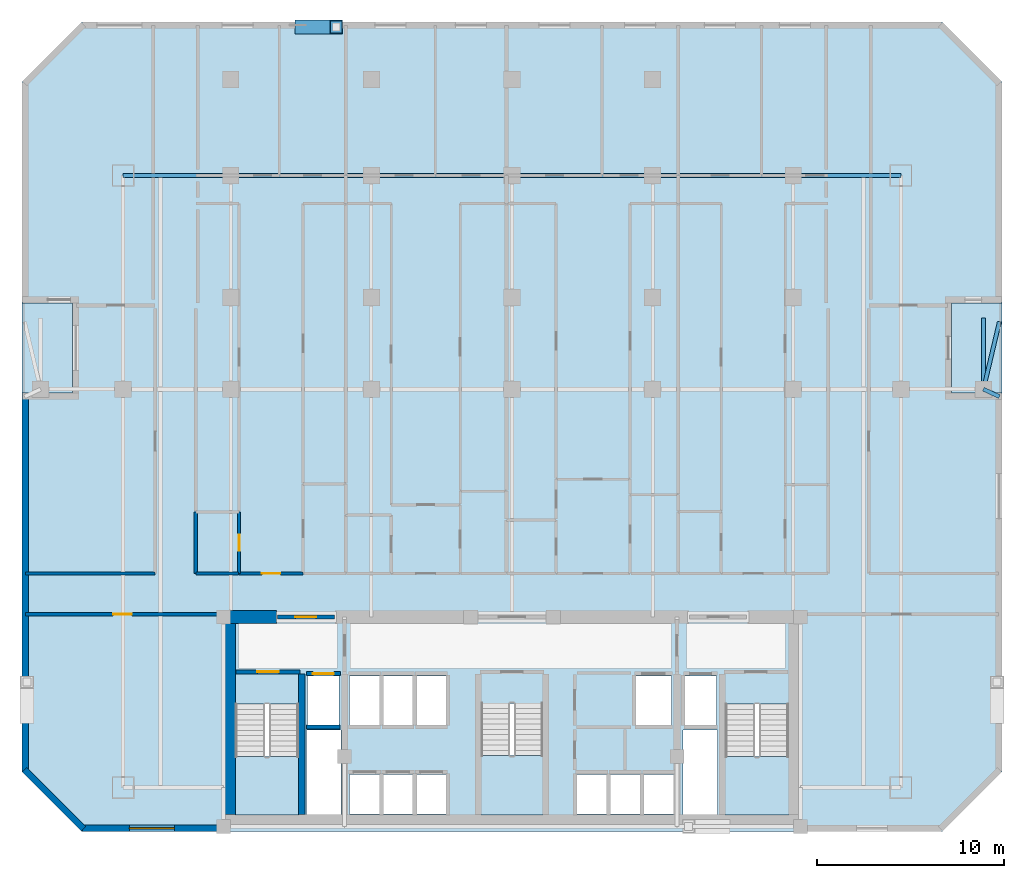
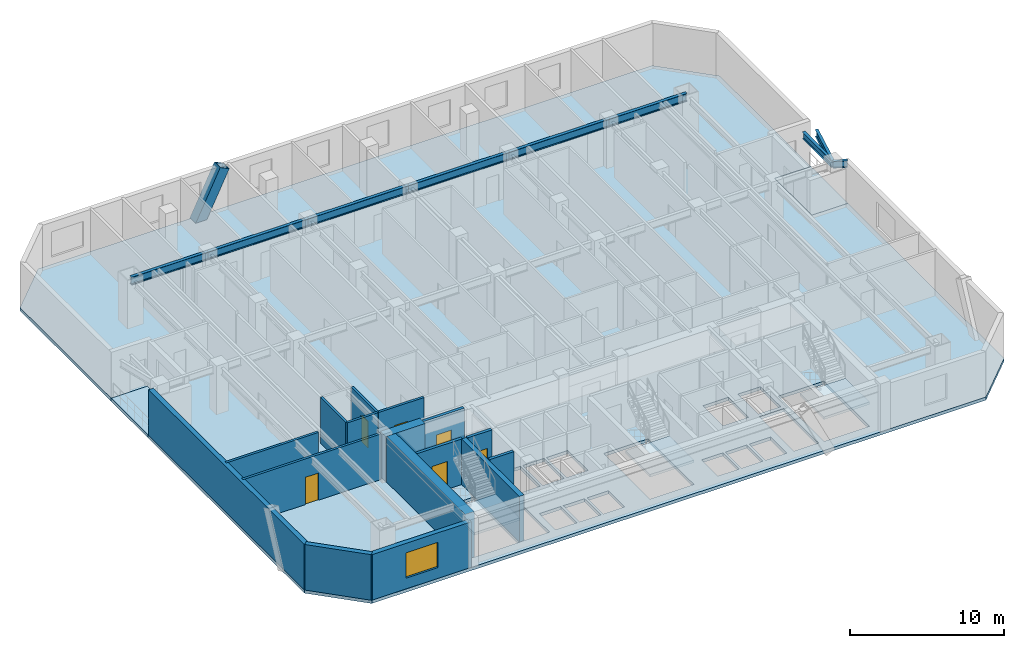
# One storey, part 2 of 9: 16 walls, 9 beams, 6 doors, 6 slabs, 1 member, 1 window, 7 openings, 3 elements without a shape of their own.
"""IFC4 building model written with IfcOpenShell, lengths in metres."""

from ifc_helpers import new_model, si_unit, direction, frame, frame_2d, origin, origin_2d, place, context, subcontext, project, spatial, polyline, rectangle, hollow_rectangle, i_section, outline, extrude, material, layer, layer_set, material_profile, profile_set, type_object, element, fill, aggregate, save


model = new_model("IFC4")

# Units and contexts
model_context = context("Model", 3, precision=1e-05, world=origin(), true_north=direction((0.0, 1.0)))
body_context = subcontext(model_context, "Body", "Model", "MODEL_VIEW")
ifc_project = project(units=[si_unit("LENGTHUNIT", "METRE"), si_unit("AREAUNIT", "SQUARE_METRE"), si_unit("VOLUMEUNIT", "CUBIC_METRE"), si_unit("PLANEANGLEUNIT", "RADIAN"), si_unit("MASSUNIT", "GRAM", prefix="KILO")], contexts=[model_context])

# Site, building, storey
site_placement = place(None, origin())
site = spatial("IfcSite", under=ifc_project, at=site_placement, CompositionType="ELEMENT")
building_placement = place(site_placement, origin())
building = spatial("IfcBuilding", under=site, at=building_placement, Name="Ventersveld Concourse Tower", CompositionType="ELEMENT")
storey_placement = place(building_placement, frame((0.0, 0.0, 100.300048828125)))
storey = spatial("IfcBuildingStorey", under=building, at=storey_placement, Name="L24", CompositionType="ELEMENT", Elevation=100.300048828125)

# Beams
ifc_material_1 = material(Name="Structural steel S355J2", Category="steel")
ifc_material_profile_1 = material_profile(ifc_material_1, i_section(OverallWidth=0.230224609375, OverallDepth=0.6171875, WebThickness=0.01318359375, FlangeThickness=0.022216796875, FilletRadius=0.0126953125, at=origin_2d()), Name="UB 610x229x140")
ifc_profile_set_1 = profile_set([ifc_material_profile_1], Name="Structural steel S355J2")
beam_type_1 = type_object("IfcBeamType", Name="GRD-UB610", PredefinedType="USERDEFINED", material=ifc_profile_set_1)
beam_1_placement = place(storey_placement, frame((8.0, 35.0, 3.291259765625), z_axis=(1.0, 0.0, 0.0), x_axis=(0.0, 1.0, 0.0)))
element("IfcBeam", 1, at=beam_1_placement, inside=storey, type_object=beam_type_1, Name="L24 E-W Grid Girder Y=35.00 #1", ObjectType="GIRDER", PredefinedType="USERDEFINED", context=body_context, shape_type="SweptSolid", body=[
    extrude(i_section(OverallWidth=0.230224609375, OverallDepth=0.6171875, WebThickness=0.01318359375, FlangeThickness=0.022216796875, FilletRadius=0.0126953125, at=origin_2d()), origin(), (0.0, 0.0, 1.0), 5.75),
])
for number, where, z_axis, x_axis, name in (
    (2, (13.75, 35.0, 3.291259765625), (1.0, 0.0, 0.0), (0.0, 1.0, 0.0), "L24 E-W Grid Girder Y=35.00 #2"),
    (3, (21.25, 35.0, 3.291259765625), (1.0, 0.0, 0.0), (0.0, 1.0, 0.0), "L24 E-W Grid Girder Y=35.00 #3"),
    (4, (28.75, 35.0, 3.291259765625), (1.0, 0.0, 0.0), (0.0, 1.0, 0.0), "L24 E-W Grid Girder Y=35.00 #4"),
    (5, (36.25, 35.0, 3.291259765625), (1.0, 0.0, 0.0), (0.0, 1.0, 0.0), "L24 E-W Grid Girder Y=35.00 #5"),
):
    element("IfcBeam", number, at=place(storey_placement, frame(where, z_axis=z_axis, x_axis=x_axis)), inside=storey, type_object=beam_type_1, Name=name, ObjectType="GIRDER", PredefinedType="USERDEFINED", context=body_context, shape_type="SweptSolid", body=[
        extrude(i_section(OverallWidth=0.230224609375, OverallDepth=0.6171875, WebThickness=0.01318359375, FlangeThickness=0.022216796875, FilletRadius=0.0126953125, at=origin_2d()), origin(), (0.0, 0.0, 1.0), 7.5),
    ])
beam_2_placement = place(storey_placement, frame((43.75, 35.0, 3.291259765625), z_axis=(1.0, 0.0, 0.0), x_axis=(0.0, 1.0, 0.0)))
element("IfcBeam", 6, at=beam_2_placement, inside=storey, type_object=beam_type_1, Name="L24 E-W Grid Girder Y=35.00 #6", ObjectType="GIRDER", PredefinedType="USERDEFINED", context=body_context, shape_type="SweptSolid", body=[
    extrude(i_section(OverallWidth=0.230224609375, OverallDepth=0.6171875, WebThickness=0.01318359375, FlangeThickness=0.022216796875, FilletRadius=0.0126953125, at=origin_2d()), origin(), (0.0, 0.0, 1.0), 5.75),
])

# Member
ifc_material_2 = material(Name="Structural steel S355ML", Category="steel")
ifc_material_profile_2 = material_profile(ifc_material_2, hollow_rectangle(XDim=0.75, YDim=0.75, WallThickness=0.044921875, at=origin_2d()), Name="BOX 750x750x45")
ifc_profile_set_2 = profile_set([ifc_material_profile_2], Name="Structural steel S355ML")
member_type = type_object("IfcMemberType", Name="MB-750x750", PredefinedType="BRACE", material=ifc_profile_set_2)
member_placement = place(storey_placement, frame((17.5, 42.919921875, -0.25), z_axis=(0.437861906815, 0.0, 0.899042240699), x_axis=(0.0, 1.0, 0.0)))
element("IfcMember", 7, at=member_placement, inside=storey, type_object=member_type, Name="L24 Exterior Mega-Brace N (Module M05)", PredefinedType="BRACE", context=body_context, shape_type="SweptSolid", body=[
    extrude(hollow_rectangle(XDim=0.75, YDim=0.75, WallThickness=0.044921875, at=origin_2d()), origin(), (0.0, 0.0, 1.0), 4.2822265625),
])

# Beams
ifc_material_profile_3 = material_profile(ifc_material_1, i_section(OverallWidth=0.2119140625, OverallDepth=0.54443359375, WebThickness=0.0126953125, FlangeThickness=0.021240234375, FilletRadius=0.0126953125, at=origin_2d()), Name="UB 533x210x122")
ifc_profile_set_3 = profile_set([ifc_material_profile_3], Name="Structural steel S355J2")
beam_type_2 = type_object("IfcBeamType", Name="SPD-UB533", PredefinedType="SPANDREL", material=ifc_profile_set_3)
beam_3_placement = place(storey_placement, frame((53.89990234375, 23.60009765625, 3.32763671875), z_axis=(0.0, 1.0, 0.0), x_axis=(-1.0, 0.0, 0.0)))
element("IfcBeam", 8, at=beam_3_placement, inside=storey, type_object=beam_type_2, Name="L24 East Valley Spine Girder", PredefinedType="SPANDREL", context=body_context, shape_type="SweptSolid", body=[
    extrude(i_section(OverallWidth=0.2119140625, OverallDepth=0.54443359375, WebThickness=0.0126953125, FlangeThickness=0.021240234375, FilletRadius=0.0126953125, at=origin_2d()), origin(), (0.0, 0.0, 1.0), 3.7998046875),
])
beam_4_placement = place(storey_placement, frame((53.89990234375, 23.60009765625, 3.32763671875), z_axis=(0.904777476219, -0.425884630535, 0.0), x_axis=(0.425884630535, 0.904777476219, 0.0)))
element("IfcBeam", 9, at=beam_4_placement, inside=storey, type_object=beam_type_2, Name="L24 East Valley Corner Bracket 1", PredefinedType="SPANDREL", context=body_context, shape_type="SweptSolid", body=[
    extrude(i_section(OverallWidth=0.2119140625, OverallDepth=0.54443359375, WebThickness=0.0126953125, FlangeThickness=0.021240234375, FilletRadius=0.0126953125, at=origin_2d()), origin(), (0.0, 0.0, 1.0), 0.939453125),
])
beam_5_placement = place(storey_placement, frame((53.89990234375, 23.60009765625, 3.32763671875), z_axis=(0.229826547993, 0.973231605445, 0.0), x_axis=(-0.973231605445, 0.229826547993, 0.0)))
element("IfcBeam", 10, at=beam_5_placement, inside=storey, type_object=beam_type_2, Name="L24 East Valley Corner Bracket 2", PredefinedType="SPANDREL", context=body_context, shape_type="SweptSolid", body=[
    extrude(i_section(OverallWidth=0.2119140625, OverallDepth=0.54443359375, WebThickness=0.0126953125, FlangeThickness=0.021240234375, FilletRadius=0.0126953125, at=origin_2d()), origin(), (0.0, 0.0, 1.0), 3.698974609375),
])

# Slabs
ifc_material_3 = material(Name="Concrete C50/60", Category="concrete")
ifc_layer_1 = layer(ifc_material_3, 0.25)
ifc_layer_set_1 = layer_set([ifc_layer_1], Name="Concrete C50/60")
slab_type_1 = type_object("IfcSlabType", Name="SL-FLR-250", PredefinedType="FLOOR", material=ifc_layer_set_1)
slab_1_placement = place(storey_placement, frame((0.0, 0.0, -0.25)))
element("IfcSlab", 11, at=slab_1_placement, inside=storey, type_object=slab_type_1, Name="L24 Composite Floor Slab", PredefinedType="FLOOR", context=body_context, shape_type="SweptSolid", body=[
    extrude(outline(polyline([(5.800048828125, 0.0), (51.699951171875, 0.0), (54.89990234375, 3.199951171875), (54.89990234375, 23.39990234375), (52.199951171875, 23.39990234375), (52.199951171875, 28.199951171875), (54.89990234375, 28.199951171875), (54.89990234375, 40.0), (51.699951171875, 43.199951171875), (5.800048828125, 43.199951171875), (2.60009765625, 40.0), (2.60009765625, 28.199951171875), (5.300048828125, 28.199951171875), (5.300048828125, 23.39990234375), (2.60009765625, 23.39990234375), (2.60009765625, 3.199951171875), (5.800048828125, 0.0)]), holes=[polyline([(13.97998046875, 6.794921875), (13.97998046875, 0.89990234375), (17.3798828125, 0.89990234375), (17.3798828125, 6.794921875), (13.97998046875, 6.794921875)]), polyline([(40.1201171875, 6.794921875), (40.1201171875, 0.89990234375), (43.52001953125, 0.89990234375), (43.52001953125, 6.794921875), (40.1201171875, 6.794921875)]), polyline([(27.10009765625, 6.844970703125), (27.10009765625, 0.89990234375), (30.39990234375, 0.89990234375), (30.39990234375, 6.844970703125), (27.10009765625, 6.844970703125)]), polyline([(17.85009765625, 5.699951171875), (19.530029296875, 5.699951171875), (19.530029296875, 8.300048828125), (17.85009765625, 8.300048828125), (17.85009765625, 5.699951171875)]), polyline([(37.969970703125, 5.699951171875), (39.64990234375, 5.699951171875), (39.64990234375, 8.300048828125), (37.969970703125, 8.300048828125), (37.969970703125, 5.699951171875)]), polyline([(35.35009765625, 5.699951171875), (37.25, 5.699951171875), (37.25, 8.300048828125), (35.35009765625, 8.300048828125), (35.35009765625, 5.699951171875)]), polyline([(20.090087890625, 0.949951171875), (21.68994140625, 0.949951171875), (21.68994140625, 3.050048828125), (20.090087890625, 3.050048828125), (20.090087890625, 0.949951171875)]), polyline([(21.8701171875, 0.949951171875), (23.469970703125, 0.949951171875), (23.469970703125, 3.050048828125), (21.8701171875, 3.050048828125), (21.8701171875, 0.949951171875)]), polyline([(23.64990234375, 0.949951171875), (25.25, 0.949951171875), (25.25, 3.050048828125), (23.64990234375, 3.050048828125), (23.64990234375, 0.949951171875)]), polyline([(32.2099609375, 0.949951171875), (33.81005859375, 0.949951171875), (33.81005859375, 3.050048828125), (32.2099609375, 3.050048828125), (32.2099609375, 0.949951171875)]), polyline([(33.989990234375, 0.949951171875), (35.590087890625, 0.949951171875), (35.590087890625, 3.050048828125), (33.989990234375, 3.050048828125), (33.989990234375, 0.949951171875)]), polyline([(35.77001953125, 0.949951171875), (37.3701171875, 0.949951171875), (37.3701171875, 3.050048828125), (35.77001953125, 3.050048828125), (35.77001953125, 0.949951171875)]), polyline([(20.090087890625, 5.699951171875), (21.68994140625, 5.699951171875), (21.68994140625, 8.300048828125), (20.090087890625, 8.300048828125), (20.090087890625, 5.699951171875)]), polyline([(21.8701171875, 5.699951171875), (23.469970703125, 5.699951171875), (23.469970703125, 8.300048828125), (21.8701171875, 8.300048828125), (21.8701171875, 5.699951171875)]), polyline([(23.64990234375, 5.699951171875), (25.25, 5.699951171875), (25.25, 8.300048828125), (23.64990234375, 8.300048828125), (23.64990234375, 5.699951171875)]), polyline([(17.780029296875, 0.919921875), (19.6201171875, 0.919921875), (19.6201171875, 5.419921875), (17.780029296875, 5.419921875), (17.780029296875, 0.919921875)]), polyline([(37.8798828125, 0.919921875), (39.719970703125, 0.919921875), (39.719970703125, 5.419921875), (37.8798828125, 5.419921875), (37.8798828125, 0.919921875)])]), origin(), (0.0, 0.0, 1.0), 0.25),
])
slab_2_placement = place(storey_placement, frame((0.0, 0.0, -0.25)))
element("IfcSlab", 12, at=slab_2_placement, inside=storey, type_object=slab_type_1, Name="L24 Outdoor Terrace Slab NOTCH-W", PredefinedType="FLOOR", context=body_context, shape_type="SweptSolid", body=[
    extrude(outline(polyline([(2.60009765625, 23.39990234375), (5.300048828125, 23.39990234375), (5.300048828125, 28.199951171875), (2.60009765625, 28.199951171875), (2.60009765625, 23.39990234375)])), origin(), (0.0, 0.0, 1.0), 0.25),
])
slab_3_placement = place(storey_placement, frame((0.0, 0.0, -0.25)))
element("IfcSlab", 13, at=slab_3_placement, inside=storey, type_object=slab_type_1, Name="L24 Outdoor Terrace Slab NOTCH-E", PredefinedType="FLOOR", context=body_context, shape_type="SweptSolid", body=[
    extrude(outline(polyline([(52.199951171875, 23.39990234375), (54.89990234375, 23.39990234375), (54.89990234375, 28.199951171875), (52.199951171875, 28.199951171875), (52.199951171875, 23.39990234375)])), origin(), (0.0, 0.0, 1.0), 0.25),
])

# Stair, slab
stair_type_1 = type_object("IfcStairType", Name="ST-DOG-160", PredefinedType="HALF_TURN_STAIR", material=ifc_material_3)
stair_1_placement = place(storey_placement, origin())
stair_1 = element("IfcStair", 14, at=stair_1_placement, inside=storey, type_object=stair_type_1, Name="L24 Protected Tower Escape Stair ST-01", PredefinedType="HALF_TURN_STAIR")
ifc_layer_2 = layer(ifc_material_3, 0.199951171875)
ifc_layer_set_2 = layer_set([ifc_layer_2], Name="Concrete C50/60")
slab_type_2 = type_object("IfcSlabType", Name="SL-LND-200", PredefinedType="LANDING", material=ifc_layer_set_2)
slab_4_placement = place(storey_placement, frame((0.0, 0.0, 1.724853515625)))
slab_4 = element("IfcSlab", 15, at=slab_4_placement, type_object=slab_type_2, Name="ST-01 landing 1", PredefinedType="LANDING", context=body_context, shape_type="SweptSolid", body=[
    extrude(outline(polyline([(13.97998046875, 4.0), (13.97998046875, 0.89990234375), (17.3798828125, 0.89990234375), (17.3798828125, 4.0), (13.97998046875, 4.0)])), origin(), (0.0, 0.0, 1.0), 0.2001953125),
])
aggregate(stair_1, [slab_4])

stair_2_placement = place(storey_placement, origin())
stair_2 = element("IfcStair", 16, at=stair_2_placement, inside=storey, type_object=stair_type_1, Name="L24 Protected Tower Escape Stair ST-02", PredefinedType="HALF_TURN_STAIR")
slab_5_placement = place(storey_placement, frame((0.0, 0.0, 1.724853515625)))
slab_5 = element("IfcSlab", 17, at=slab_5_placement, type_object=slab_type_2, Name="ST-02 landing 1", PredefinedType="LANDING", context=body_context, shape_type="SweptSolid", body=[
    extrude(outline(polyline([(40.1201171875, 4.0), (40.1201171875, 0.89990234375), (43.52001953125, 0.89990234375), (43.52001953125, 4.0), (40.1201171875, 4.0)])), origin(), (0.0, 0.0, 1.0), 0.2001953125),
])
aggregate(stair_2, [slab_5])

stair_type_2 = type_object("IfcStairType", Name="ST-DOG-155", PredefinedType="HALF_TURN_STAIR", material=ifc_material_3)
stair_3_placement = place(storey_placement, origin())
stair_3 = element("IfcStair", 18, at=stair_3_placement, inside=storey, type_object=stair_type_2, Name="L24 Protected Central Core Escape Stair ST-03", PredefinedType="HALF_TURN_STAIR")
slab_6_placement = place(storey_placement, frame((0.0, 0.0, 1.724853515625)))
slab_6 = element("IfcSlab", 19, at=slab_6_placement, type_object=slab_type_2, Name="ST-03 landing 1", PredefinedType="LANDING", context=body_context, shape_type="SweptSolid", body=[
    extrude(outline(polyline([(27.10009765625, 4.050048828125), (27.10009765625, 0.89990234375), (30.39990234375, 0.89990234375), (30.39990234375, 4.050048828125), (27.10009765625, 4.050048828125)])), origin(), (0.0, 0.0, 1.0), 0.2001953125),
])
aggregate(stair_3, [slab_6])

# Walls
ifc_material_4 = material(Name="Concrete C60/75", Category="concrete")
ifc_layer_3 = layer(ifc_material_4, 0.35009765625)
ifc_layer_set_3 = layer_set([ifc_layer_3], Name="Concrete C60/75")
wall_type_1 = type_object("IfcWallType", Name="WL-CORE-350L", PredefinedType="SHEAR", material=ifc_layer_set_3)
wall_1_placement = place(storey_placement, frame((17.5400390625, 0.919921875, 0.0), z_axis=(0.0, 0.0, 1.0), x_axis=(0.0, 1.0, 0.0)))
element("IfcWall", 20, at=wall_1_placement, inside=storey, type_object=wall_type_1, Name="L24 Core Internal Shear Web W-ST1-E", PredefinedType="SHEAR", context=body_context, shape_type="SweptSolid", body=[
    extrude(rectangle(XDim=7.5, YDim=0.35009765625, at=frame_2d((3.75, 0.0))), origin(), (0.0, 0.0, 1.0), 3.599853515625),
])
ifc_layer_4 = layer(ifc_material_4, 0.699951171875)
ifc_layer_set_4 = layer_set([ifc_layer_4], Name="Concrete C60/75")
wall_type_2 = type_object("IfcWallType", Name="WL-CORE-700", PredefinedType="SHEAR", material=ifc_layer_set_4)
wall_2_placement = place(storey_placement, frame((13.64990234375, 0.919921875, 0.0), z_axis=(0.0, 0.0, 1.0), x_axis=(0.0, 1.0, 0.0)))
element("IfcWall", 21, at=wall_2_placement, inside=storey, type_object=wall_type_2, Name="L24 Rear Core West Shear Wall", PredefinedType="SHEAR", context=body_context, shape_type="SweptSolid", body=[
    extrude(rectangle(XDim=10.530029296875, YDim=0.699951171875, at=frame_2d((5.26513671875, 0.0))), origin(), (0.0, 0.0, 1.0), 3.599853515625),
])
wall_3_placement = place(storey_placement, frame((13.25, 11.449951171875, 0.0), z_axis=(0.0, 0.0, 1.0), x_axis=(1.0, 0.0, 0.0)))
element("IfcWall", 22, at=wall_3_placement, inside=storey, type_object=wall_type_2, Name="L24 Rear Core North Shear Wall NW", PredefinedType="SHEAR", context=body_context, shape_type="SweptSolid", body=[
    extrude(rectangle(XDim=2.949951171875, YDim=0.699951171875, at=frame_2d((1.47509765625, 0.0))), origin(), (0.0, 0.0, 1.0), 3.599853515625),
])

# Wall, opening, door
ifc_material_5 = material(Name="Fire-rated autoclaved aerated masonry blockwork", Category="masonry")
ifc_layer_5 = layer(ifc_material_5, 0.179931640625)
ifc_layer_set_5 = layer_set([ifc_layer_5], Name="Fire-rated autoclaved aerated masonry blockwork")
wall_type_3 = type_object("IfcWallType", Name="WL-CORR-180", PredefinedType="PARTITIONING", material=ifc_layer_set_5)
wall_4_placement = place(storey_placement, frame((2.81005859375, 11.60009765625, 0.0), z_axis=(0.0, 0.0, 1.0), x_axis=(1.0, 0.0, 0.0)))
wall_4 = element("IfcWall", 23, at=wall_4_placement, inside=storey, type_object=wall_type_3, Name="L24 Interior Partition SP-L24-SW-GAL-SP-L24-COR", PredefinedType="PARTITIONING", context=body_context, shape_type="SweptSolid", body=[
    extrude(rectangle(XDim=10.3349609375, YDim=0.179931640625, at=frame_2d((5.16748046875, 0.0))), origin(), (0.0, 0.0, 1.0), 3.599853515625),
])
opening_1_placement = place(wall_4_placement, frame((4.66748046875, 0.0, 0.0)))
opening_1 = element("IfcOpeningElement", 24, at=opening_1_placement, cuts=wall_4, Name="Opening FD3", PredefinedType="OPENING", context=body_context, shape_type="SweptSolid", body=[
    extrude(rectangle(XDim=1.0, YDim=2.14990234375, at=frame_2d((0.5, 1.074951171875))), frame((0.0, 0.10009765625, 0.0), z_axis=(0.0, -1.0, 0.0), x_axis=(1.0, 0.0, 0.0)), (0.0, 0.0, 1.0), 0.199951171875),
])
ifc_material_6 = material(Name="Solid-core hardwood veneer timber", Category="wood")
door_type_1 = type_object("IfcDoorType", Name="DR-FLAT-100", OperationType="NOTDEFINED", PredefinedType="DOOR", material=ifc_material_6)
door_1_placement = place(opening_1_placement, origin())
door_1 = element("IfcDoor", 25, at=door_1_placement, inside=storey, type_object=door_type_1, Name="L24 Interior Door SP-L24-SW-GAL to SP-L24-COR (D-L24-1172)", OperationType="SINGLE_SWING_RIGHT", OverallHeight=2.14990234375, OverallWidth=1.0, PredefinedType="DOOR", context=body_context, shape_type="SweptSolid", body=[
    extrude(rectangle(XDim=1.0, YDim=2.14990234375, at=frame_2d((0.5, 1.074951171875))), frame((0.0, 0.02490234375, 0.0), z_axis=(0.0, -1.0, 0.0), x_axis=(1.0, 0.0, 0.0)), (0.0, 0.0, 1.0), 0.050048828125),
])
fill(opening_1, door_1)

# Wall
wall_5_placement = place(storey_placement, frame((2.81005859375, 13.77001953125, 0.0), z_axis=(0.0, 0.0, 1.0), x_axis=(1.0, 0.0, 0.0)))
element("IfcWall", 26, at=wall_5_placement, inside=storey, type_object=wall_type_3, Name="L24 Interior Partition SP-L24-COR-SP-L24-NWLNG1", PredefinedType="PARTITIONING", context=body_context, shape_type="SweptSolid", body=[
    extrude(rectangle(XDim=6.905029296875, YDim=0.179931640625, at=frame_2d((3.45263671875, 0.0))), origin(), (0.0, 0.0, 1.0), 3.599853515625),
])

# Wall, opening, door
wall_6_placement = place(storey_placement, frame((14.189697265625, 13.77001953125, 0.0), z_axis=(0.0, 0.0, 1.0), x_axis=(1.0, 0.0, 0.0)))
wall_6 = element("IfcWall", 27, at=wall_6_placement, inside=storey, type_object=wall_type_3, Name="L24 Interior Partition SP-L24-COR-SP-L24-24N1-LIV", PredefinedType="PARTITIONING", context=body_context, shape_type="SweptSolid", body=[
    extrude(rectangle(XDim=3.422119140625, YDim=0.179931640625, at=frame_2d((1.7109375, 0.0))), origin(), (0.0, 0.0, 1.0), 3.599853515625),
])
opening_2_placement = place(wall_6_placement, frame((1.211181640625, 0.0, 0.0)))
opening_2 = element("IfcOpeningElement", 28, at=opening_2_placement, cuts=wall_6, Name="Opening FD3", PredefinedType="OPENING", context=body_context, shape_type="SweptSolid", body=[
    extrude(rectangle(XDim=1.0, YDim=2.14990234375, at=frame_2d((0.5, 1.074951171875))), frame((0.0, 0.10009765625, 0.0), z_axis=(0.0, -1.0, 0.0), x_axis=(1.0, 0.0, 0.0)), (0.0, 0.0, 1.0), 0.199951171875),
])
door_2_placement = place(opening_2_placement, origin())
door_2 = element("IfcDoor", 29, at=door_2_placement, inside=storey, type_object=door_type_1, Name="L24 Interior Door SP-L24-COR to SP-L24-24N1-LIV (FD-L24-1176)", OperationType="SINGLE_SWING_RIGHT", OverallHeight=2.14990234375, OverallWidth=1.0, PredefinedType="DOOR", context=body_context, shape_type="SweptSolid", body=[
    extrude(rectangle(XDim=1.0, YDim=2.14990234375, at=frame_2d((0.5, 1.074951171875))), frame((0.0, 0.02490234375, 0.0), z_axis=(0.0, -1.0, 0.0), x_axis=(1.0, 0.0, 0.0)), (0.0, 0.0, 1.0), 0.050048828125),
])
fill(opening_2, door_2)

# Walls
wall_7_placement = place(storey_placement, frame((11.889892578125, 13.764892578125, 0.0), z_axis=(0.0, 0.0, 1.0), x_axis=(0.0, 1.0, 0.0)))
element("IfcWall", 30, at=wall_7_placement, inside=storey, type_object=wall_type_3, Name="L24 Interior Partition SP-L24-COR-SP-L24-24N1-BATH", PredefinedType="PARTITIONING", context=body_context, shape_type="SweptSolid", body=[
    extrude(rectangle(XDim=3.29638671875, YDim=0.179931640625, at=frame_2d((1.648193359375, 0.0))), origin(), (0.0, 0.0, 1.0), 3.599853515625),
])
wall_8_placement = place(storey_placement, frame((11.885009765625, 13.77001953125, 0.0), z_axis=(0.0, 0.0, 1.0), x_axis=(1.0, 0.0, 0.0)))
element("IfcWall", 31, at=wall_8_placement, inside=storey, type_object=wall_type_3, Name="L24 Interior Partition SP-L24-COR-SP-L24-24N1-BATH", PredefinedType="PARTITIONING", context=body_context, shape_type="SweptSolid", body=[
    extrude(rectangle(XDim=2.274658203125, YDim=0.179931640625, at=frame_2d((1.13720703125, 0.0))), origin(), (0.0, 0.0, 1.0), 3.599853515625),
])
ifc_layer_6 = layer(ifc_material_5, 0.219970703125)
ifc_layer_set_6 = layer_set([ifc_layer_6], Name="Fire-rated autoclaved aerated masonry blockwork")
wall_type_4 = type_object("IfcWallType", Name="WL-HOIST-220", PredefinedType="SOLIDWALL", material=ifc_layer_set_6)
wall_9_placement = place(storey_placement, frame((17.800048828125, 5.590087890625, 0.0), z_axis=(0.0, 0.0, 1.0), x_axis=(1.0, 0.0, 0.0)))
element("IfcWall", 32, at=wall_9_placement, inside=storey, type_object=wall_type_4, Name="L24 Lift Hoistway Back Wall FFL-01", PredefinedType="SOLIDWALL", context=body_context, shape_type="SweptSolid", body=[
    extrude(rectangle(XDim=1.780029296875, YDim=0.219970703125, at=frame_2d((0.89013671875, 0.0))), origin(), (0.0, 0.0, 1.0), 3.599853515625),
])

# Wall, opening, door
wall_10_placement = place(storey_placement, frame((17.780029296875, 8.429931640625, 0.0), z_axis=(0.0, 0.0, 1.0), x_axis=(1.0, 0.0, 0.0)))
wall_10 = element("IfcWall", 33, at=wall_10_placement, inside=storey, type_object=wall_type_4, Name="L24 Lift Hoistway Front Wall FFL-01", PredefinedType="SOLIDWALL", context=body_context, shape_type="SweptSolid", body=[
    extrude(rectangle(XDim=1.820068359375, YDim=0.219970703125, at=frame_2d((0.91015625, 0.0))), origin(), (0.0, 0.0, 1.0), 3.599853515625),
])
opening_3_placement = place(wall_10_placement, frame((0.35009765625, 0.0, 0.0)))
opening_3 = element("IfcOpeningElement", 34, at=opening_3_placement, cuts=wall_10, Name="Opening LD1", PredefinedType="OPENING", context=body_context, shape_type="SweptSolid", body=[
    extrude(rectangle(XDim=1.1201171875, YDim=2.25, at=frame_2d((0.56005859375, 1.125))), frame((0.0, 0.1201171875, 0.0), z_axis=(0.0, -1.0, 0.0), x_axis=(1.0, 0.0, 0.0)), (0.0, 0.0, 1.0), 0.239990234375),
])
ifc_material_7 = material(Name="Brushed stainless steel 316", Category="steel")
door_type_2 = type_object("IfcDoorType", Name="LD-FF-112", OperationType="SLIDING_TO_LEFT", PredefinedType="DOOR", material=ifc_material_7)
door_3_placement = place(opening_3_placement, origin())
door_3 = element("IfcDoor", 35, at=door_3_placement, inside=storey, type_object=door_type_2, Name="L24 Lift landing door FFL-01 (LD-L24-FFL-01)", OperationType="SLIDING_TO_LEFT", OverallHeight=2.25, OverallWidth=1.1201171875, PredefinedType="DOOR", context=body_context, shape_type="SweptSolid", body=[
    extrude(rectangle(XDim=1.1201171875, YDim=2.25, at=frame_2d((0.56005859375, 1.125))), frame((0.0, 0.02490234375, 0.0), z_axis=(0.0, -1.0, 0.0), x_axis=(1.0, 0.0, 0.0)), (0.0, 0.0, 1.0), 0.050048828125),
])
fill(opening_3, door_3)

wall_11_placement = place(storey_placement, frame((14.0400390625, 8.52001953125, 0.0), z_axis=(0.0, 0.0, 1.0), x_axis=(1.0, 0.0, 0.0)))
wall_11 = element("IfcWall", 36, at=wall_11_placement, inside=storey, type_object=wall_type_4, Name="L24 Escape Stair ST01 Fire Wall", PredefinedType="SOLIDWALL", context=body_context, shape_type="SweptSolid", body=[
    extrude(rectangle(XDim=3.39990234375, YDim=0.219970703125, at=frame_2d((1.699951171875, 0.0))), origin(), (0.0, 0.0, 1.0), 3.599853515625),
])
opening_4_placement = place(wall_11_placement, frame((1.125, 0.0, 0.0)))
opening_4 = element("IfcOpeningElement", 37, at=opening_4_placement, cuts=wall_11, Name="Opening FD1", PredefinedType="OPENING", context=body_context, shape_type="SweptSolid", body=[
    extrude(rectangle(XDim=1.14990234375, YDim=2.199951171875, at=frame_2d((0.574951171875, 1.10009765625))), frame((0.0, 0.1201171875, 0.0), z_axis=(0.0, -1.0, 0.0), x_axis=(1.0, 0.0, 0.0)), (0.0, 0.0, 1.0), 0.239990234375),
])
ifc_material_8 = material(Name="Galvanised painted steel", Category="steel")
door_type_3 = type_object("IfcDoorType", Name="DR-STAIR-115", OperationType="NOTDEFINED", PredefinedType="DOOR", material=ifc_material_8)
door_4_placement = place(opening_4_placement, origin())
door_4 = element("IfcDoor", 38, at=door_4_placement, inside=storey, type_object=door_type_3, Name="L24 Escape Stair Door ST01 (SD-L24-1162)", OperationType="SINGLE_SWING_LEFT", OverallHeight=2.199951171875, OverallWidth=1.14990234375, PredefinedType="DOOR", context=body_context, shape_type="SweptSolid", body=[
    extrude(rectangle(XDim=1.14990234375, YDim=2.199951171875, at=frame_2d((0.574951171875, 1.10009765625))), frame((0.0, 0.02490234375, 0.0), z_axis=(0.0, -1.0, 0.0), x_axis=(1.0, 0.0, 0.0)), (0.0, 0.0, 1.0), 0.050048828125),
])
fill(opening_4, door_4)

wall_12_placement = place(storey_placement, frame((16.22998046875, 11.449951171875, 0.0), z_axis=(0.0, 0.0, 1.0), x_axis=(1.0, 0.0, 0.0)))
wall_12 = element("IfcWall", 39, at=wall_12_placement, inside=storey, type_object=wall_type_4, Name="L24 Core North Fire Portal FFLW-OUT", PredefinedType="SOLIDWALL", context=body_context, shape_type="SweptSolid", body=[
    extrude(rectangle(XDim=3.0400390625, YDim=0.219970703125, at=frame_2d((1.52001953125, 0.0))), origin(), (0.0, 0.0, 1.0), 3.599853515625),
])
opening_5_placement = place(wall_12_placement, frame((0.969970703125, 0.0, 0.0)))
opening_5 = element("IfcOpeningElement", 40, at=opening_5_placement, cuts=wall_12, Name="Opening FD2", PredefinedType="OPENING", context=body_context, shape_type="SweptSolid", body=[
    extrude(rectangle(XDim=1.10009765625, YDim=2.199951171875, at=frame_2d((0.550048828125, 1.10009765625))), frame((0.0, 0.1201171875, 0.0), z_axis=(0.0, -1.0, 0.0), x_axis=(1.0, 0.0, 0.0)), (0.0, 0.0, 1.0), 0.239990234375),
])
door_type_4 = type_object("IfcDoorType", Name="DR-FFL-110", OperationType="NOTDEFINED", PredefinedType="DOOR", material=ifc_material_8)
door_5_placement = place(opening_5_placement, origin())
door_5 = element("IfcDoor", 41, at=door_5_placement, inside=storey, type_object=door_type_4, Name="L24 Core Lobby Fire Door FFLW-OUT (FD-L24-1167)", OperationType="SINGLE_SWING_RIGHT", OverallHeight=2.199951171875, OverallWidth=1.10009765625, PredefinedType="DOOR", context=body_context, shape_type="SweptSolid", body=[
    extrude(rectangle(XDim=1.10009765625, YDim=2.199951171875, at=frame_2d((0.550048828125, 1.10009765625))), frame((0.0, 0.02490234375, 0.0), z_axis=(0.0, -1.0, 0.0), x_axis=(1.0, 0.0, 0.0)), (0.0, 0.0, 1.0), 0.050048828125),
])
fill(opening_5, door_5)

# Wall, opening, window
ifc_material_9 = material(Name="Precast concrete C45/55", Category="concrete")
ifc_layer_7 = layer(ifc_material_9, 0.35009765625)
ifc_layer_set_7 = layer_set([ifc_layer_7], Name="Precast concrete C45/55")
wall_type_5 = type_object("IfcWallType", Name="WL-PREC-350", PredefinedType="SOLIDWALL", material=ifc_layer_set_7)
wall_13_placement = place(storey_placement, frame((5.840087890625, 0.179931640625, 0.0), z_axis=(0.0, 0.0, 1.0), x_axis=(1.0, 0.0, 0.0)))
wall_13 = element("IfcWall", 42, at=wall_13_placement, inside=storey, type_object=wall_type_5, Name="L24 South-West Flank Precast Wall", PredefinedType="SOLIDWALL", context=body_context, shape_type="SweptSolid", body=[
    extrude(rectangle(XDim=7.409912109375, YDim=0.35009765625, at=frame_2d((3.705078125, 0.0))), origin(), (0.0, 0.0, 1.0), 3.599853515625),
])
opening_6_placement = place(wall_13_placement, frame((2.5048828125, 0.0, 0.85009765625)))
opening_6 = element("IfcOpeningElement", 43, at=opening_6_placement, cuts=wall_13, Name="Opening W5", PredefinedType="OPENING", context=body_context, shape_type="SweptSolid", body=[
    extrude(rectangle(XDim=2.39990234375, YDim=2.0, at=frame_2d((1.199951171875, 1.0))), frame((0.0, 0.18505859375, 0.0), z_axis=(0.0, -1.0, 0.0), x_axis=(1.0, 0.0, 0.0)), (0.0, 0.0, 1.0), 0.3701171875),
])
ifc_material_10 = material(Name="Tempered acoustic Low-E IGU", Category="glass")
window_type = type_object("IfcWindowType", Name="WIN-240x210", PartitioningType="SINGLE_PANEL", PredefinedType="WINDOW", material=ifc_material_10)
window_placement = place(opening_6_placement, origin())
window = element("IfcWindow", 44, at=window_placement, inside=storey, type_object=window_type, Name="L24 Punched Low-E Window W-0273", OverallHeight=2.0, OverallWidth=2.39990234375, PartitioningType="SINGLE_PANEL", PredefinedType="WINDOW", context=body_context, shape_type="SweptSolid", body=[
    extrude(rectangle(XDim=2.39990234375, YDim=2.0, at=frame_2d((1.199951171875, 1.0))), frame((0.0, 0.030029296875, 0.0), z_axis=(0.0, -1.0, 0.0), x_axis=(1.0, 0.0, 0.0)), (0.0, 0.0, 1.0), 0.06005859375),
])
fill(opening_6, window)

# Walls
wall_14_placement = place(storey_placement, frame((2.77490234375, 23.360107421875, 0.0), z_axis=(0.0, 0.0, 1.0), x_axis=(0.0, -1.0, 0.0)))
element("IfcWall", 45, at=wall_14_placement, inside=storey, type_object=wall_type_5, Name="L24 Highveld Precast Facade Wall E15", PredefinedType="SOLIDWALL", context=body_context, shape_type="SweptSolid", body=[
    extrude(rectangle(XDim=20.1201171875, YDim=0.35009765625, at=frame_2d((10.06005859375, 0.0))), origin(), (0.0, 0.0, 1.0), 3.599853515625),
])
wall_15_placement = place(storey_placement, frame((2.751953125, 3.29541015625, 0.0), z_axis=(0.0, 0.0, 1.0), x_axis=(0.707134240044, -0.707079321262, 0.0)))
element("IfcWall", 46, at=wall_15_placement, inside=storey, type_object=wall_type_5, Name="L24 Highveld Precast Facade Wall E16", PredefinedType="SOLIDWALL", context=body_context, shape_type="SweptSolid", body=[
    extrude(rectangle(XDim=4.445556640625, YDim=0.35009765625, at=frame_2d((2.22265625, 0.0))), origin(), (0.0, 0.0, 1.0), 3.599853515625),
])

# Wall, opening, door
ifc_material_11 = material(Name="Autoclaved aerated masonry blockwork", Category="masonry")
ifc_layer_8 = layer(ifc_material_11, 0.1650390625)
ifc_layer_set_8 = layer_set([ifc_layer_8], Name="Autoclaved aerated masonry blockwork")
wall_type_6 = type_object("IfcWallType", Name="WL-WET-165", PredefinedType="PLUMBINGWALL", material=ifc_layer_set_8)
wall_16_placement = place(storey_placement, frame((14.194580078125, 13.764892578125, 0.0), z_axis=(0.0, 0.0, 1.0), x_axis=(0.0, 1.0, 0.0)))
wall_16 = element("IfcWall", 47, at=wall_16_placement, inside=storey, type_object=wall_type_6, Name="L24 Interior Partition SP-L24-24N1-LIV-SP-L24-24N1-BATH", PredefinedType="PLUMBINGWALL", context=body_context, shape_type="SweptSolid", body=[
    extrude(rectangle(XDim=3.29638671875, YDim=0.1650390625, at=frame_2d((1.648193359375, 0.0))), origin(), (0.0, 0.0, 1.0), 3.599853515625),
])
opening_7_placement = place(wall_16_placement, frame((1.22314453125, 0.0, 0.0)))
opening_7 = element("IfcOpeningElement", 48, at=opening_7_placement, cuts=wall_16, Name="Opening ID2", PredefinedType="OPENING", context=body_context, shape_type="SweptSolid", body=[
    extrude(rectangle(XDim=0.85009765625, YDim=2.10009765625, at=frame_2d((0.425048828125, 1.050048828125))), frame((0.0, 0.092529296875, 0.0), z_axis=(0.0, -1.0, 0.0), x_axis=(1.0, 0.0, 0.0)), (0.0, 0.0, 1.0), 0.18505859375),
])
door_type_5 = type_object("IfcDoorType", Name="DR-BATH-085", OperationType="NOTDEFINED", PredefinedType="DOOR", material=ifc_material_6)
door_6_placement = place(opening_7_placement, origin())
door_6 = element("IfcDoor", 49, at=door_6_placement, inside=storey, type_object=door_type_5, Name="L24 Interior Door SP-L24-24N1-LIV to SP-L24-24N1-BATH (D-L24-1182)", OperationType="SINGLE_SWING_RIGHT", OverallHeight=2.10009765625, OverallWidth=0.85009765625, PredefinedType="DOOR", context=body_context, shape_type="SweptSolid", body=[
    extrude(rectangle(XDim=0.85009765625, YDim=2.10009765625, at=frame_2d((0.425048828125, 1.050048828125))), frame((0.0, 0.02490234375, 0.0), z_axis=(0.0, -1.0, 0.0), x_axis=(1.0, 0.0, 0.0)), (0.0, 0.0, 1.0), 0.050048828125),
])
fill(opening_7, door_6)

save(model, "model.ifc")
